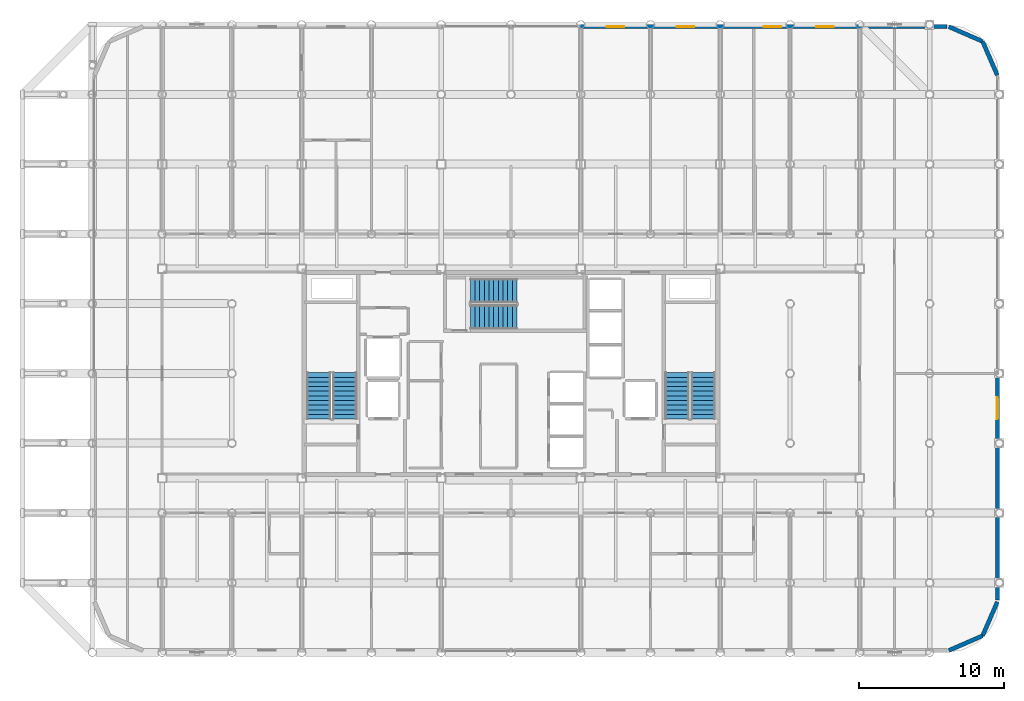
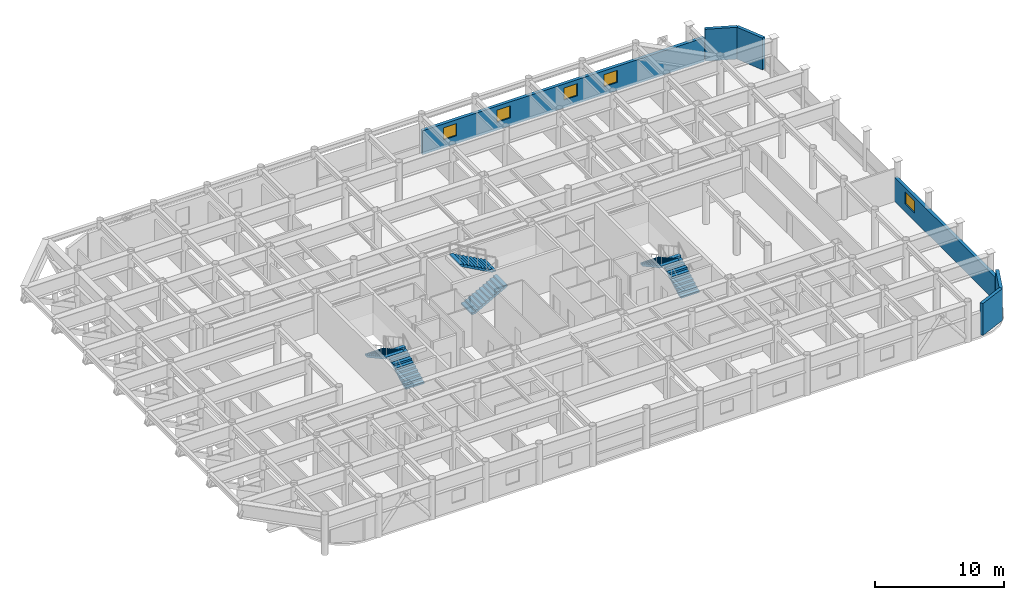
# One storey, part 26 of 27: 6 stair flights, 6 walls, 5 windows, 5 openings, 3 elements without a shape of their own.
"""IFC4 building model written with IfcOpenShell, lengths in metres."""

from ifc_helpers import new_model, si_unit, direction, frame, frame_2d, origin, place, context, subcontext, project, spatial, polyline, rectangle, outline, extrude, material, layer, layer_set, type_object, element, fill, aggregate, save


model = new_model("IFC4")

# Units and contexts
model_context = context("Model", 3, precision=1e-05, world=origin(), true_north=direction((0.0, 1.0)))
body_context = subcontext(model_context, "Body", "Model", "MODEL_VIEW")
ifc_project = project(units=[si_unit("LENGTHUNIT", "METRE"), si_unit("AREAUNIT", "SQUARE_METRE"), si_unit("VOLUMEUNIT", "CUBIC_METRE"), si_unit("PLANEANGLEUNIT", "RADIAN"), si_unit("MASSUNIT", "GRAM", prefix="KILO")], contexts=[model_context])

# Site, building, storey
site_placement = place(None, origin())
site = spatial("IfcSite", under=ifc_project, at=site_placement, CompositionType="ELEMENT")
building_placement = place(site_placement, origin())
building = spatial("IfcBuilding", under=site, at=building_placement, Name="Kallvorn Hotel Tower", CompositionType="ELEMENT")
storey_placement = place(building_placement, frame((0.0, 0.0, 245.39990234375)))
storey = spatial("IfcBuildingStorey", under=building, at=storey_placement, Name="L61", CompositionType="ELEMENT", Elevation=245.39990234375)

# Walls
ifc_material_1 = material(Name="Precast basalt-clad insulated concrete wall C40/50", Category="masonry")
ifc_layer = layer(ifc_material_1, 0.280029296875)
ifc_layer_set = layer_set([ifc_layer], Name="WL_EXT_LOGGIA_280")
wall_type = type_object("IfcWallType", Name="WL_EXT_LOGGIA_280", PredefinedType="SOLIDWALL", material=ifc_layer_set)
wall_1_placement = place(storey_placement, frame((30.120849609375, -19.057861328125, 0.0), z_axis=(0.0, 0.0, 1.0), x_axis=(0.917060872934, 0.398747232384, 0.0)))
element("IfcWall", 1, at=wall_1_placement, inside=storey, type_object=wall_type, Name="L61 Rounded Corner Exterior Wall SE1", PredefinedType="SOLIDWALL", context=body_context, shape_type="SweptSolid", body=[
    extrude(rectangle(XDim=2.5361328125, YDim=0.280029296875, at=frame_2d((1.26806640625, 0.0))), origin(), (0.0, 0.0, 1.0), 3.02001953125),
])
for number, where, z_axis, x_axis, name in (
    (2, (32.446533203125, -18.046630859375, 0.0), (0.0, 0.0, 1.0), (0.398792985289, 0.917040977756, 0.0), "L61 Rounded Corner Exterior Wall SE2"),
    (3, (33.4580078125, 20.520751953125, 0.0), (0.0, 0.0, 1.0), (-0.398792985289, 0.917040977756, 0.0), "L61 Rounded Corner Exterior Wall NE1"),
):
    element("IfcWall", number, at=place(storey_placement, frame(where, z_axis=z_axis, x_axis=x_axis)), inside=storey, type_object=wall_type, Name=name, PredefinedType="SOLIDWALL", context=body_context, shape_type="SweptSolid", body=[
        extrude(rectangle(XDim=2.536376953125, YDim=0.280029296875, at=frame_2d((1.26806640625, 0.0))), origin(), (0.0, 0.0, 1.0), 3.02001953125),
    ])
wall_2_placement = place(storey_placement, frame((32.446533203125, 22.8466796875, 0.0), z_axis=(0.0, 0.0, 1.0), x_axis=(-0.917060872934, 0.398747232384, 0.0)))
element("IfcWall", 4, at=wall_2_placement, inside=storey, type_object=wall_type, Name="L61 Rounded Corner Exterior Wall NE2", PredefinedType="SOLIDWALL", context=body_context, shape_type="SweptSolid", body=[
    extrude(rectangle(XDim=2.5361328125, YDim=0.280029296875, at=frame_2d((1.26806640625, 0.0))), origin(), (0.0, 0.0, 1.0), 3.02001953125),
])

# Wall, openings, windows
wall_3_placement = place(storey_placement, frame((4.75, 23.860107421875, 0.0), z_axis=(0.0, 0.0, 1.0), x_axis=(1.0, 0.0, 0.0)))
wall_3 = element("IfcWall", 5, at=wall_3_placement, inside=storey, type_object=wall_type, Name="L61 Exterior Envelope Wall EW-L61-NE", PredefinedType="SOLIDWALL", context=body_context, shape_type="SweptSolid", body=[
    extrude(rectangle(XDim=25.25, YDim=0.280029296875, at=frame_2d((12.625, 0.0))), origin(), (0.0, 0.0, 1.0), 2.27001953125),
])
opening_1_placement = place(wall_3_placement, frame((16.25, 0.0, 0.75)))
opening_1 = element("IfcOpeningElement", 6, at=opening_1_placement, cuts=wall_3, Name="Opening W06A", PredefinedType="OPENING", context=body_context, shape_type="SweptSolid", body=[
    extrude(rectangle(XDim=1.199951171875, YDim=1.14990234375, at=frame_2d((0.60009765625, 0.574951171875))), frame((0.0, 0.155029296875, 0.0), z_axis=(0.0, -1.0, 0.0), x_axis=(1.0, 0.0, 0.0)), (0.0, 0.0, 1.0), 0.31005859375),
])
opening_2_placement = place(wall_3_placement, frame((1.85009765625, 0.0, 0.75)))
opening_2 = element("IfcOpeningElement", 7, at=opening_2_placement, cuts=wall_3, Name="Opening W06A", PredefinedType="OPENING", context=body_context, shape_type="SweptSolid", body=[
    extrude(rectangle(XDim=1.199951171875, YDim=1.14990234375, at=frame_2d((0.60009765625, 0.574951171875))), frame((0.0, 0.155029296875, 0.0), z_axis=(0.0, -1.0, 0.0), x_axis=(1.0, 0.0, 0.0)), (0.0, 0.0, 1.0), 0.31005859375),
])
opening_3_placement = place(wall_3_placement, frame((6.64990234375, 0.0, 0.75)))
opening_3 = element("IfcOpeningElement", 8, at=opening_3_placement, cuts=wall_3, Name="Opening W06A", PredefinedType="OPENING", context=body_context, shape_type="SweptSolid", body=[
    extrude(rectangle(XDim=1.199951171875, YDim=1.14990234375, at=frame_2d((0.60009765625, 0.574951171875))), frame((0.0, 0.155029296875, 0.0), z_axis=(0.0, -1.0, 0.0), x_axis=(1.0, 0.0, 0.0)), (0.0, 0.0, 1.0), 0.31005859375),
])
opening_4_placement = place(wall_3_placement, frame((12.64990234375, 0.0, 0.75)))
opening_4 = element("IfcOpeningElement", 9, at=opening_4_placement, cuts=wall_3, Name="Opening W06A", PredefinedType="OPENING", context=body_context, shape_type="SweptSolid", body=[
    extrude(rectangle(XDim=1.199951171875, YDim=1.14990234375, at=frame_2d((0.60009765625, 0.574951171875))), frame((0.0, 0.155029296875, 0.0), z_axis=(0.0, -1.0, 0.0), x_axis=(1.0, 0.0, 0.0)), (0.0, 0.0, 1.0), 0.31005859375),
])
ifc_material_2 = material(Name="Triple-glazed low-e acoustic solar-control dark glass", Category="glass")
window_type_1 = type_object("IfcWindowType", Name="WN_HTL_1200x1150", PartitioningType="SINGLE_PANEL", PredefinedType="WINDOW", material=ifc_material_2)
window_1_placement = place(opening_1_placement, origin())
window_1 = element("IfcWindow", 10, at=window_1_placement, inside=storey, type_object=window_type_1, Name="L61 Guestroom Exterior Window 02", OverallHeight=1.14990234375, OverallWidth=1.199951171875, PartitioningType="SINGLE_PANEL", PredefinedType="WINDOW", context=body_context, shape_type="SweptSolid", body=[
    extrude(rectangle(XDim=1.199951171875, YDim=1.14990234375, at=frame_2d((0.60009765625, 0.574951171875))), frame((0.0, 0.030029296875, 0.0), z_axis=(0.0, -1.0, 0.0), x_axis=(1.0, 0.0, 0.0)), (0.0, 0.0, 1.0), 0.06005859375),
])
fill(opening_1, window_1)
window_2_placement = place(opening_2_placement, origin())
window_2 = element("IfcWindow", 11, at=window_2_placement, inside=storey, type_object=window_type_1, Name="L61 Guestroom Exterior Window 12", OverallHeight=1.14990234375, OverallWidth=1.199951171875, PartitioningType="SINGLE_PANEL", PredefinedType="WINDOW", context=body_context, shape_type="SweptSolid", body=[
    extrude(rectangle(XDim=1.199951171875, YDim=1.14990234375, at=frame_2d((0.60009765625, 0.574951171875))), frame((0.0, 0.030029296875, 0.0), z_axis=(0.0, -1.0, 0.0), x_axis=(1.0, 0.0, 0.0)), (0.0, 0.0, 1.0), 0.06005859375),
])
fill(opening_2, window_2)
window_3_placement = place(opening_3_placement, origin())
window_3 = element("IfcWindow", 12, at=window_3_placement, inside=storey, type_object=window_type_1, Name="L61 Guestroom Exterior Window 13", OverallHeight=1.14990234375, OverallWidth=1.199951171875, PartitioningType="SINGLE_PANEL", PredefinedType="WINDOW", context=body_context, shape_type="SweptSolid", body=[
    extrude(rectangle(XDim=1.199951171875, YDim=1.14990234375, at=frame_2d((0.60009765625, 0.574951171875))), frame((0.0, 0.030029296875, 0.0), z_axis=(0.0, -1.0, 0.0), x_axis=(1.0, 0.0, 0.0)), (0.0, 0.0, 1.0), 0.06005859375),
])
fill(opening_3, window_3)
window_4_placement = place(opening_4_placement, origin())
window_4 = element("IfcWindow", 13, at=window_4_placement, inside=storey, type_object=window_type_1, Name="L61 Guestroom Exterior Window 14", OverallHeight=1.14990234375, OverallWidth=1.199951171875, PartitioningType="SINGLE_PANEL", PredefinedType="WINDOW", context=body_context, shape_type="SweptSolid", body=[
    extrude(rectangle(XDim=1.199951171875, YDim=1.14990234375, at=frame_2d((0.60009765625, 0.574951171875))), frame((0.0, 0.030029296875, 0.0), z_axis=(0.0, -1.0, 0.0), x_axis=(1.0, 0.0, 0.0)), (0.0, 0.0, 1.0), 0.06005859375),
])
fill(opening_4, window_4)

# Wall, opening, window
wall_4_placement = place(storey_placement, frame((33.4599609375, -15.60009765625, 0.0), z_axis=(0.0, 0.0, 1.0), x_axis=(0.0, 1.0, 0.0)))
wall_4 = element("IfcWall", 14, at=wall_4_placement, inside=storey, type_object=wall_type, Name="L61 Exterior Envelope Wall EW-L61-ES", PredefinedType="SOLIDWALL", context=body_context, shape_type="SweptSolid", body=[
    extrude(rectangle(XDim=15.580078125, YDim=0.280029296875, at=frame_2d((7.7900390625, 0.0))), origin(), (0.0, 0.0, 1.0), 2.27001953125),
])
opening_5_placement = place(wall_4_placement, frame((12.449951171875, 0.0, 0.75)))
opening_5 = element("IfcOpeningElement", 15, at=opening_5_placement, cuts=wall_4, Name="Opening W05A", PredefinedType="OPENING", context=body_context, shape_type="SweptSolid", body=[
    extrude(rectangle(XDim=1.5, YDim=1.14990234375, at=frame_2d((0.75, 0.574951171875))), frame((0.0, 0.155029296875, 0.0), z_axis=(0.0, -1.0, 0.0), x_axis=(1.0, 0.0, 0.0)), (0.0, 0.0, 1.0), 0.31005859375),
])
ifc_material_3 = material(Name="Double-glazed low-e solar-control dark glass", Category="glass")
window_type_2 = type_object("IfcWindowType", Name="WN_HTL_1500x1150", PartitioningType="SINGLE_PANEL", PredefinedType="WINDOW", material=ifc_material_3)
window_5_placement = place(opening_5_placement, origin())
window_5 = element("IfcWindow", 16, at=window_5_placement, inside=storey, type_object=window_type_2, Name="L61 Flank Wing Window 03", OverallHeight=1.14990234375, OverallWidth=1.5, PartitioningType="SINGLE_PANEL", PredefinedType="WINDOW", context=body_context, shape_type="SweptSolid", body=[
    extrude(rectangle(XDim=1.5, YDim=1.14990234375, at=frame_2d((0.75, 0.574951171875))), frame((0.0, 0.030029296875, 0.0), z_axis=(0.0, -1.0, 0.0), x_axis=(1.0, 0.0, 0.0)), (0.0, 0.0, 1.0), 0.06005859375),
])
fill(opening_5, window_5)

# Stair, stair flights
ifc_material_4 = material(Name="Precast concrete C40/50", Category="concrete")
stair_type = type_object("IfcStairType", Name="STR_CORE_DOGLEG", PredefinedType="HALF_TURN_STAIR", material=ifc_material_4)
stair_1_placement = place(storey_placement, origin())
stair_1 = element("IfcStair", 17, at=stair_1_placement, inside=storey, type_object=stair_type, Name="L61 Exit stair ST1", PredefinedType="HALF_TURN_STAIR")
ifc_material_5 = material(Name="Precast concrete C40/50", Category="concrete")
stair_flight_type = type_object("IfcStairFlightType", Name="FLT_CORE_1660", PredefinedType="STRAIGHT", material=ifc_material_5)
stair_flight_1_placement = place(storey_placement, frame((-11.429931640625, -3.139892578125, 0.0), z_axis=(0.0, 0.0, 1.0), x_axis=(0.0, 1.0, 0.0)))
stair_flight_1 = element("IfcStairFlight", 18, at=stair_flight_1_placement, type_object=stair_flight_type, Name="ST1 flight 1", NumberOfRisers=11, NumberOfTreads=10, PredefinedType="STRAIGHT", RiserHeight=0.175, TreadLength=0.32, context=body_context, shape_type="SweptSolid", body=[
    extrude(outline(polyline([(0.0, 0.0), (0.0, 0.175048828125), (0.320068359375, 0.175048828125), (0.320068359375, 0.35009765625), (0.639892578125, 0.35009765625), (0.639892578125, 0.52490234375), (0.9599609375, 0.52490234375), (0.9599609375, 0.699951171875), (1.280029296875, 0.699951171875), (1.280029296875, 0.875), (1.60009765625, 0.875), (1.60009765625, 1.050048828125), (1.919921875, 1.050048828125), (1.919921875, 1.22509765625), (2.239990234375, 1.22509765625), (2.239990234375, 1.39990234375), (2.56005859375, 1.39990234375), (2.56005859375, 1.574951171875), (2.8798828125, 1.574951171875), (2.8798828125, 1.75), (3.199951171875, 1.75), (3.199951171875, 1.925048828125), (3.199951171875, 1.5791015625), (0.3125, 0.0), (0.0, 0.0)])), frame((0.0, 0.830078125, 0.0), z_axis=(0.0, -1.0, 0.0), x_axis=(1.0, 0.0, 0.0)), (0.0, 0.0, 1.0), 1.659912109375),
])
stair_flight_2_placement = place(storey_placement, frame((-13.22998046875, 0.06005859375, 1.925048828125), z_axis=(0.0, 0.0, 1.0), x_axis=(0.0, -1.0, 0.0)))
stair_flight_2 = element("IfcStairFlight", 19, at=stair_flight_2_placement, type_object=stair_flight_type, Name="ST1 flight 2", NumberOfRisers=11, NumberOfTreads=10, PredefinedType="STRAIGHT", RiserHeight=0.175, TreadLength=0.32, context=body_context, shape_type="SweptSolid", body=[
    extrude(outline(polyline([(0.0, 0.0), (0.0, 0.175048828125), (0.320068359375, 0.175048828125), (0.320068359375, 0.35009765625), (0.639892578125, 0.35009765625), (0.639892578125, 0.52490234375), (0.9599609375, 0.52490234375), (0.9599609375, 0.699951171875), (1.280029296875, 0.699951171875), (1.280029296875, 0.875), (1.60009765625, 0.875), (1.60009765625, 1.050048828125), (1.919921875, 1.050048828125), (1.919921875, 1.22509765625), (2.239990234375, 1.22509765625), (2.239990234375, 1.39990234375), (2.56005859375, 1.39990234375), (2.56005859375, 1.574951171875), (2.8798828125, 1.574951171875), (2.8798828125, 1.75), (3.199951171875, 1.75), (3.199951171875, 1.925048828125), (3.199951171875, 1.5791015625), (0.3125, 0.0), (0.0, 0.0)])), frame((0.0, 0.830078125, 0.0), z_axis=(0.0, -1.0, 0.0), x_axis=(1.0, 0.0, 0.0)), (0.0, 0.0, 1.0), 1.659912109375),
])
aggregate(stair_1, [stair_flight_1, stair_flight_2])

stair_2_placement = place(storey_placement, origin())
stair_2 = element("IfcStair", 20, at=stair_2_placement, inside=storey, type_object=stair_type, Name="L61 Exit stair ST2", PredefinedType="HALF_TURN_STAIR")
stair_flight_3_placement = place(storey_placement, frame((13.22998046875, -3.139892578125, 0.0), z_axis=(0.0, 0.0, 1.0), x_axis=(0.0, 1.0, 0.0)))
stair_flight_3 = element("IfcStairFlight", 21, at=stair_flight_3_placement, type_object=stair_flight_type, Name="ST2 flight 1", NumberOfRisers=11, NumberOfTreads=10, PredefinedType="STRAIGHT", RiserHeight=0.175, TreadLength=0.32, context=body_context, shape_type="SweptSolid", body=[
    extrude(outline(polyline([(0.0, 0.0), (0.0, 0.175048828125), (0.320068359375, 0.175048828125), (0.320068359375, 0.35009765625), (0.639892578125, 0.35009765625), (0.639892578125, 0.52490234375), (0.9599609375, 0.52490234375), (0.9599609375, 0.699951171875), (1.280029296875, 0.699951171875), (1.280029296875, 0.875), (1.60009765625, 0.875), (1.60009765625, 1.050048828125), (1.919921875, 1.050048828125), (1.919921875, 1.22509765625), (2.239990234375, 1.22509765625), (2.239990234375, 1.39990234375), (2.56005859375, 1.39990234375), (2.56005859375, 1.574951171875), (2.8798828125, 1.574951171875), (2.8798828125, 1.75), (3.199951171875, 1.75), (3.199951171875, 1.925048828125), (3.199951171875, 1.5791015625), (0.3125, 0.0), (0.0, 0.0)])), frame((0.0, 0.830078125, 0.0), z_axis=(0.0, -1.0, 0.0), x_axis=(1.0, 0.0, 0.0)), (0.0, 0.0, 1.0), 1.659912109375),
])
stair_flight_4_placement = place(storey_placement, frame((11.429931640625, 0.06005859375, 1.925048828125), z_axis=(0.0, 0.0, 1.0), x_axis=(0.0, -1.0, 0.0)))
stair_flight_4 = element("IfcStairFlight", 22, at=stair_flight_4_placement, type_object=stair_flight_type, Name="ST2 flight 2", NumberOfRisers=11, NumberOfTreads=10, PredefinedType="STRAIGHT", RiserHeight=0.175, TreadLength=0.32, context=body_context, shape_type="SweptSolid", body=[
    extrude(outline(polyline([(0.0, 0.0), (0.0, 0.175048828125), (0.320068359375, 0.175048828125), (0.320068359375, 0.35009765625), (0.639892578125, 0.35009765625), (0.639892578125, 0.52490234375), (0.9599609375, 0.52490234375), (0.9599609375, 0.699951171875), (1.280029296875, 0.699951171875), (1.280029296875, 0.875), (1.60009765625, 0.875), (1.60009765625, 1.050048828125), (1.919921875, 1.050048828125), (1.919921875, 1.22509765625), (2.239990234375, 1.22509765625), (2.239990234375, 1.39990234375), (2.56005859375, 1.39990234375), (2.56005859375, 1.574951171875), (2.8798828125, 1.574951171875), (2.8798828125, 1.75), (3.199951171875, 1.75), (3.199951171875, 1.925048828125), (3.199951171875, 1.5791015625), (0.3125, 0.0), (0.0, 0.0)])), frame((0.0, 0.830078125, 0.0), z_axis=(0.0, -1.0, 0.0), x_axis=(1.0, 0.0, 0.0)), (0.0, 0.0, 1.0), 1.659912109375),
])
aggregate(stair_2, [stair_flight_3, stair_flight_4])

stair_3_placement = place(storey_placement, origin())
stair_3 = element("IfcStair", 23, at=stair_3_placement, inside=storey, type_object=stair_type, Name="L61 Exit stair ST3", PredefinedType="HALF_TURN_STAIR")
stair_flight_5_placement = place(storey_placement, frame((-2.7900390625, 3.8798828125, 0.0), z_axis=(0.0, 0.0, 1.0), x_axis=(1.0, 0.0, 0.0)))
stair_flight_5 = element("IfcStairFlight", 24, at=stair_flight_5_placement, type_object=stair_flight_type, Name="ST3 flight 1", NumberOfRisers=11, NumberOfTreads=10, PredefinedType="STRAIGHT", RiserHeight=0.175, TreadLength=0.32, context=body_context, shape_type="SweptSolid", body=[
    extrude(outline(polyline([(0.0, 0.0), (0.0, 0.175048828125), (0.320068359375, 0.175048828125), (0.320068359375, 0.35009765625), (0.639892578125, 0.35009765625), (0.639892578125, 0.52490234375), (0.9599609375, 0.52490234375), (0.9599609375, 0.699951171875), (1.280029296875, 0.699951171875), (1.280029296875, 0.875), (1.60009765625, 0.875), (1.60009765625, 1.050048828125), (1.919921875, 1.050048828125), (1.919921875, 1.22509765625), (2.239990234375, 1.22509765625), (2.239990234375, 1.39990234375), (2.56005859375, 1.39990234375), (2.56005859375, 1.574951171875), (2.8798828125, 1.574951171875), (2.8798828125, 1.75), (3.199951171875, 1.75), (3.199951171875, 1.925048828125), (3.199951171875, 1.5791015625), (0.3125, 0.0), (0.0, 0.0)])), frame((0.0, 0.830078125, 0.0), z_axis=(0.0, -1.0, 0.0), x_axis=(1.0, 0.0, 0.0)), (0.0, 0.0, 1.0), 1.659912109375),
])
stair_flight_6_placement = place(storey_placement, frame((0.409912109375, 5.679931640625, 1.925048828125), z_axis=(0.0, 0.0, 1.0), x_axis=(-1.0, 0.0, 0.0)))
stair_flight_6 = element("IfcStairFlight", 25, at=stair_flight_6_placement, type_object=stair_flight_type, Name="ST3 flight 2", NumberOfRisers=11, NumberOfTreads=10, PredefinedType="STRAIGHT", RiserHeight=0.175, TreadLength=0.32, context=body_context, shape_type="SweptSolid", body=[
    extrude(outline(polyline([(0.0, 0.0), (0.0, 0.175048828125), (0.320068359375, 0.175048828125), (0.320068359375, 0.35009765625), (0.639892578125, 0.35009765625), (0.639892578125, 0.52490234375), (0.9599609375, 0.52490234375), (0.9599609375, 0.699951171875), (1.280029296875, 0.699951171875), (1.280029296875, 0.875), (1.60009765625, 0.875), (1.60009765625, 1.050048828125), (1.919921875, 1.050048828125), (1.919921875, 1.22509765625), (2.239990234375, 1.22509765625), (2.239990234375, 1.39990234375), (2.56005859375, 1.39990234375), (2.56005859375, 1.574951171875), (2.8798828125, 1.574951171875), (2.8798828125, 1.75), (3.199951171875, 1.75), (3.199951171875, 1.925048828125), (3.199951171875, 1.5791015625), (0.3125, 0.0), (0.0, 0.0)])), frame((0.0, 0.830078125, 0.0), z_axis=(0.0, -1.0, 0.0), x_axis=(1.0, 0.0, 0.0)), (0.0, 0.0, 1.0), 1.659912109375),
])
aggregate(stair_3, [stair_flight_5, stair_flight_6])

save(model, "model.ifc")
